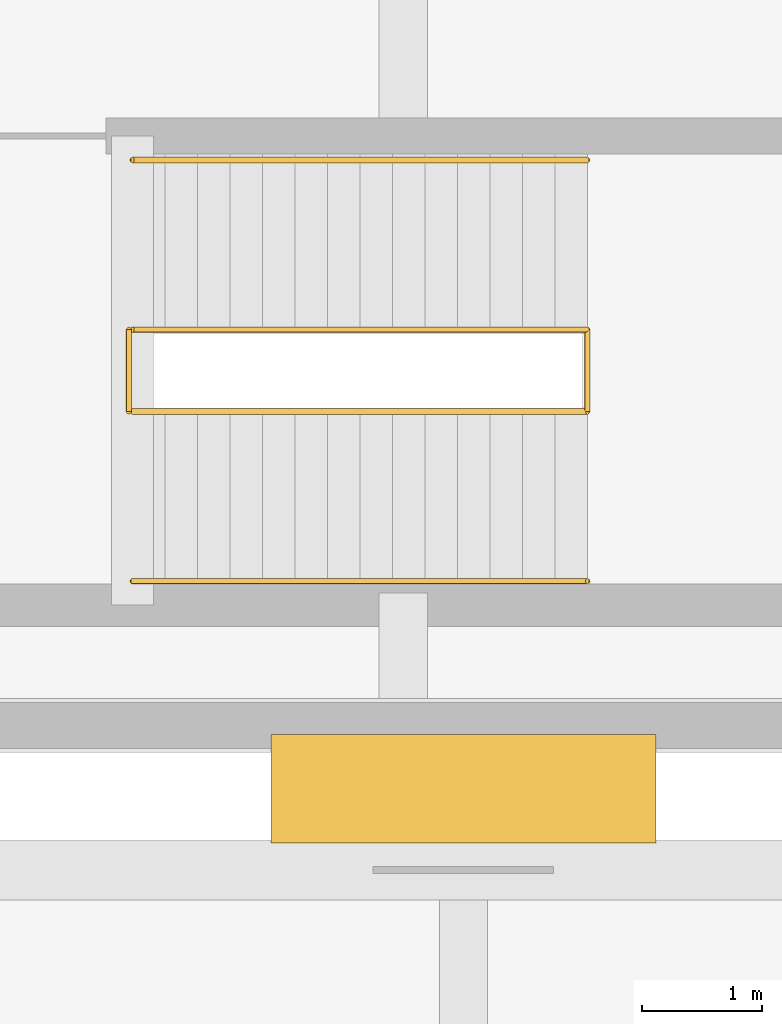
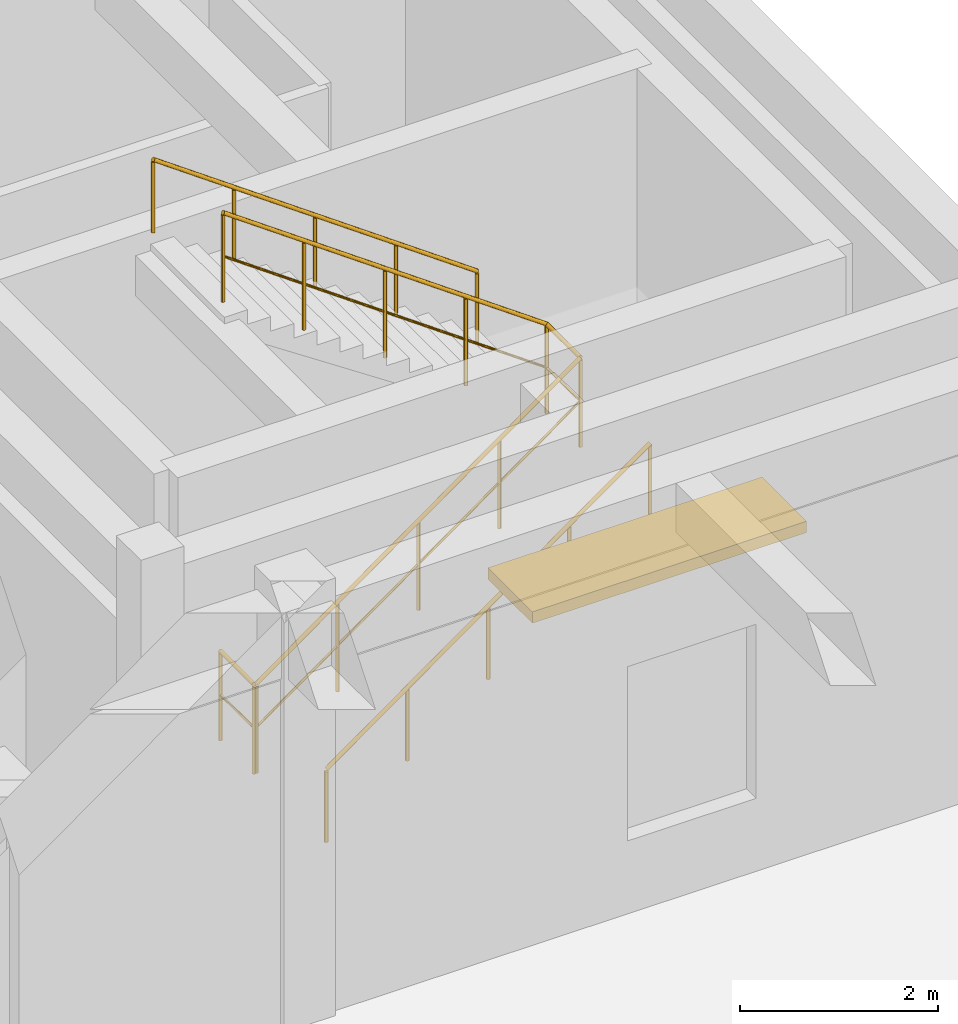
# One storey, part 195 of 197: 4 railings, 1 shading device.
"""IFC4 building model written with IfcOpenShell, lengths in metres."""

from ifc_helpers import new_model, si_unit, derived_unit, direction, frame, origin, origin_2d, place, context, subcontext, project, spatial, rectangle, circle, extrude, material, type_object, element, save


model = new_model("IFC4")

# Units and contexts
model_context = context("Model", 3, precision=1e-05, world=origin(), true_north=direction((0.0, 1.0)))
body_context = subcontext(model_context, "Body", "Model", "MODEL_VIEW")
ifc_project = project(units=[si_unit("LENGTHUNIT", "METRE"), si_unit("AREAUNIT", "SQUARE_METRE"), si_unit("VOLUMEUNIT", "CUBIC_METRE"), si_unit("PLANEANGLEUNIT", "RADIAN"), si_unit("MASSUNIT", "GRAM", prefix="KILO"), derived_unit("THERMALTRANSMITTANCEUNIT", [(si_unit("POWERUNIT", "WATT"), 1), (si_unit("LENGTHUNIT", "METRE"), -2), (si_unit("THERMODYNAMICTEMPERATUREUNIT", "KELVIN"), -1)])], contexts=[model_context])

# Site, building, storey
site_placement = place(None, origin())
site = spatial("IfcSite", under=ifc_project, at=site_placement, CompositionType="ELEMENT")
building_placement = place(site_placement, origin())
building = spatial("IfcBuilding", under=site, at=building_placement, Name="Almenara Railside Exhibition Hall", CompositionType="ELEMENT")
storey_placement = place(building_placement, frame((0.0, 0.0, 5.39990234375)))
storey = spatial("IfcBuildingStorey", under=building, at=storey_placement, Name="L01", CompositionType="ELEMENT", Elevation=5.39990234375)

# Shading device
ifc_material_1 = material(Name="Bronze-anodised aluminium solar brise-soleil", Category="aluminium")
shading_device_type = type_object("IfcShadingDeviceType", Name="North Solar Brise-Soleil Hood 900mm", PredefinedType="USERDEFINED", material=ifc_material_1)
shading_device_placement = place(storey_placement, frame((199.5, 33.47509765625, 3.6103515625), z_axis=(0.0, 0.0, 1.0), x_axis=(-1.0, 0.0, 0.0)))
element("IfcShadingDevice", 1, at=shading_device_placement, inside=storey, type_object=shading_device_type, Name="Solar brise-soleil 0028", ObjectType="BRISE_SOLEIL", PredefinedType="USERDEFINED", context=body_context, shape_type="SweptSolid", body=[
    extrude(rectangle(XDim=3.199951171875, YDim=0.89990234375, at=origin_2d()), origin(), (0.0, 0.0, 1.0), 0.139892578125),
])

# Railings
ifc_material_2 = material(Name="Bronze-finished tubular steel handrail", Category="steel")
railing_type_1 = type_object("IfcRailingType", Name="Stair Pitch Handrail 920mm", PredefinedType="HANDRAIL", material=ifc_material_2)
railing_1_placement = place(storey_placement, frame((196.75, 35.199951171875, 0.0)))
element("IfcRailing", 2, at=railing_1_placement, inside=storey, type_object=railing_type_1, Name="HR-L01-0081", PredefinedType="HANDRAIL", context=body_context, shape_type="SweptSolid", body=[
    extrude(circle(Radius=0.02392578125, at=origin_2d()), frame((0.0, 0.0, 0.89599609375), z_axis=(0.813715715614, 0.0, 0.581263050746), x_axis=(0.0, 1.0, 0.0)), (0.0, 0.0, 1.0), 4.6455078125),
    extrude(circle(Radius=0.02099609375, at=origin_2d()), origin(), (0.0, 0.0, 1.0), 0.871826171875),
    extrude(circle(Radius=0.02099609375, at=origin_2d()), frame((0.945068359375, 0.0, 0.675048828125)), (0.0, 0.0, 1.0), 0.871826171875),
    extrude(circle(Radius=0.02099609375, at=origin_2d()), frame((1.89013671875, 0.0, 1.35009765625)), (0.0, 0.0, 1.0), 0.871826171875),
    extrude(circle(Radius=0.02099609375, at=origin_2d()), frame((2.8349609375, 0.0, 2.025146484375)), (0.0, 0.0, 1.0), 0.871826171875),
    extrude(circle(Radius=0.02099609375, at=origin_2d()), frame((3.780029296875, 0.0, 2.7001953125)), (0.0, 0.0, 1.0), 0.871826171875),
])
railing_2_placement = place(storey_placement, frame((200.530029296875, 38.699951171875, 2.7001953125)))
element("IfcRailing", 3, at=railing_2_placement, inside=storey, type_object=railing_type_1, Name="HR-L01-0082", PredefinedType="HANDRAIL", context=body_context, shape_type="SweptSolid", body=[
    extrude(circle(Radius=0.02392578125, at=origin_2d()), frame((0.0, 0.0, 0.89599609375), z_axis=(-0.813740573448, 0.0, 0.581228250453), x_axis=(0.0, -1.0, 0.0)), (0.0, 0.0, 1.0), 4.645263671875),
    extrude(circle(Radius=0.02099609375, at=origin_2d()), origin(), (0.0, 0.0, 1.0), 0.871826171875),
    extrude(circle(Radius=0.02099609375, at=origin_2d()), frame((-0.945068359375, 0.0, 0.675048828125)), (0.0, 0.0, 1.0), 0.871826171875),
    extrude(circle(Radius=0.02099609375, at=origin_2d()), frame((-1.89013671875, 0.0, 1.35009765625)), (0.0, 0.0, 1.0), 0.871826171875),
    extrude(circle(Radius=0.02099609375, at=origin_2d()), frame((-2.8349609375, 0.0, 2.02490234375)), (0.0, 0.0, 1.0), 0.871826171875),
    extrude(circle(Radius=0.02099609375, at=origin_2d()), frame((-3.780029296875, 0.0, 2.699951171875)), (0.0, 0.0, 1.0), 0.871826171875),
])
ifc_material_3 = material(Name="Dark wrought-iron stair balustrade")
railing_type_2 = type_object("IfcRailingType", Name="Stair Well Guard Rail 1120mm", PredefinedType="BALUSTRADE", material=ifc_material_3)
railing_3_placement = place(storey_placement, frame((196.719970703125, 36.610107421875, 0.0)))
element("IfcRailing", 4, at=railing_3_placement, inside=storey, type_object=railing_type_2, Name="SG-L01-0080", PredefinedType="BALUSTRADE", context=body_context, shape_type="SweptSolid", body=[
    extrude(circle(Radius=0.02392578125, at=origin_2d()), frame((0.0, 0.0, 1.09619140625), z_axis=(0.0, 1.0, 0.0), x_axis=(-1.0, 0.0, 0.0)), (0.0, 0.0, 1.0), 0.679931640625),
    extrude(circle(Radius=0.01416015625, at=origin_2d()), frame((0.0, 0.0, 0.56005859375), z_axis=(0.0, 1.0, 0.0), x_axis=(-1.0, 0.0, 0.0)), (0.0, 0.0, 1.0), 0.679931640625),
    extrude(circle(Radius=0.02099609375, at=origin_2d()), origin(), (0.0, 0.0, 1.0), 1.072021484375),
    extrude(circle(Radius=0.02099609375, at=origin_2d()), frame((0.0, 0.679931640625, 0.0)), (0.0, 0.0, 1.0), 1.072021484375),
])
railing_4_placement = place(storey_placement, frame((196.75, 36.610107421875, 0.0)))
element("IfcRailing", 5, at=railing_4_placement, inside=storey, type_object=railing_type_2, Name="SG-L01-0083", PredefinedType="BALUSTRADE", context=body_context, shape_type="SweptSolid", body=[
    extrude(circle(Radius=0.02392578125, at=origin_2d()), frame((0.0, 0.0, 1.09619140625), z_axis=(0.813715715614, 0.0, 0.581263050746), x_axis=(0.0, 1.0, 0.0)), (0.0, 0.0, 1.0), 4.6455078125),
    extrude(circle(Radius=0.01416015625, at=origin_2d()), frame((0.0, 0.0, 0.56005859375), z_axis=(0.813715715614, 0.0, 0.581263050746), x_axis=(0.0, 1.0, 0.0)), (0.0, 0.0, 1.0), 4.6455078125),
    extrude(circle(Radius=0.02392578125, at=origin_2d()), frame((3.780029296875, 0.0, 3.79638671875), z_axis=(0.0, 1.0, 0.0), x_axis=(-1.0, 0.0, 0.0)), (0.0, 0.0, 1.0), 0.679931640625),
    extrude(circle(Radius=0.01416015625, at=origin_2d()), frame((3.780029296875, 0.0, 3.26025390625), z_axis=(0.0, 1.0, 0.0), x_axis=(-1.0, 0.0, 0.0)), (0.0, 0.0, 1.0), 0.679931640625),
    extrude(circle(Radius=0.02392578125, at=origin_2d()), frame((3.780029296875, 0.679931640625, 3.79638671875), z_axis=(-0.813740573448, 0.0, 0.581228250453), x_axis=(0.0, -1.0, 0.0)), (0.0, 0.0, 1.0), 4.645263671875),
    extrude(circle(Radius=0.01416015625, at=origin_2d()), frame((3.780029296875, 0.679931640625, 3.26025390625), z_axis=(-0.813740573448, 0.0, 0.581228250453), x_axis=(0.0, -1.0, 0.0)), (0.0, 0.0, 1.0), 4.645263671875),
    extrude(circle(Radius=0.02099609375, at=origin_2d()), origin(), (0.0, 0.0, 1.0), 1.072021484375),
    extrude(circle(Radius=0.02099609375, at=origin_2d()), frame((0.945068359375, 0.0, 0.675048828125)), (0.0, 0.0, 1.0), 1.072021484375),
    extrude(circle(Radius=0.02099609375, at=origin_2d()), frame((1.89013671875, 0.0, 1.35009765625)), (0.0, 0.0, 1.0), 1.072021484375),
    extrude(circle(Radius=0.02099609375, at=origin_2d()), frame((2.8349609375, 0.0, 2.025146484375)), (0.0, 0.0, 1.0), 1.072021484375),
    extrude(circle(Radius=0.02099609375, at=origin_2d()), frame((3.780029296875, 0.0, 2.7001953125)), (0.0, 0.0, 1.0), 1.072021484375),
    extrude(circle(Radius=0.02099609375, at=origin_2d()), frame((3.780029296875, 0.679931640625, 2.7001953125)), (0.0, 0.0, 1.0), 1.072021484375),
    extrude(circle(Radius=0.02099609375, at=origin_2d()), frame((2.8349609375, 0.679931640625, 3.375244140625)), (0.0, 0.0, 1.0), 1.072021484375),
    extrude(circle(Radius=0.02099609375, at=origin_2d()), frame((1.89013671875, 0.679931640625, 4.05029296875)), (0.0, 0.0, 1.0), 1.072021484375),
    extrude(circle(Radius=0.02099609375, at=origin_2d()), frame((0.945068359375, 0.679931640625, 4.72509765625)), (0.0, 0.0, 1.0), 1.072021484375),
    extrude(circle(Radius=0.02099609375, at=origin_2d()), frame((0.0, 0.679931640625, 5.400146484375)), (0.0, 0.0, 1.0), 1.072021484375),
])

save(model, "model.ifc")
